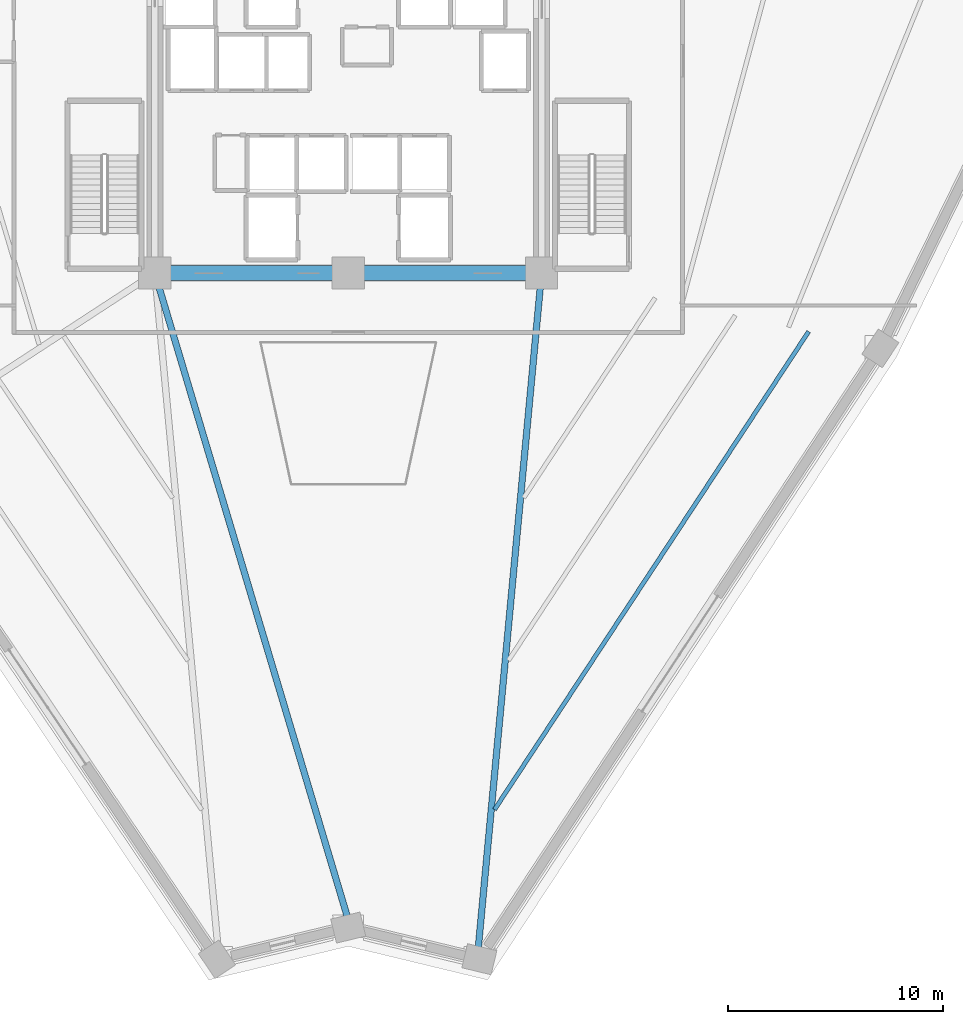
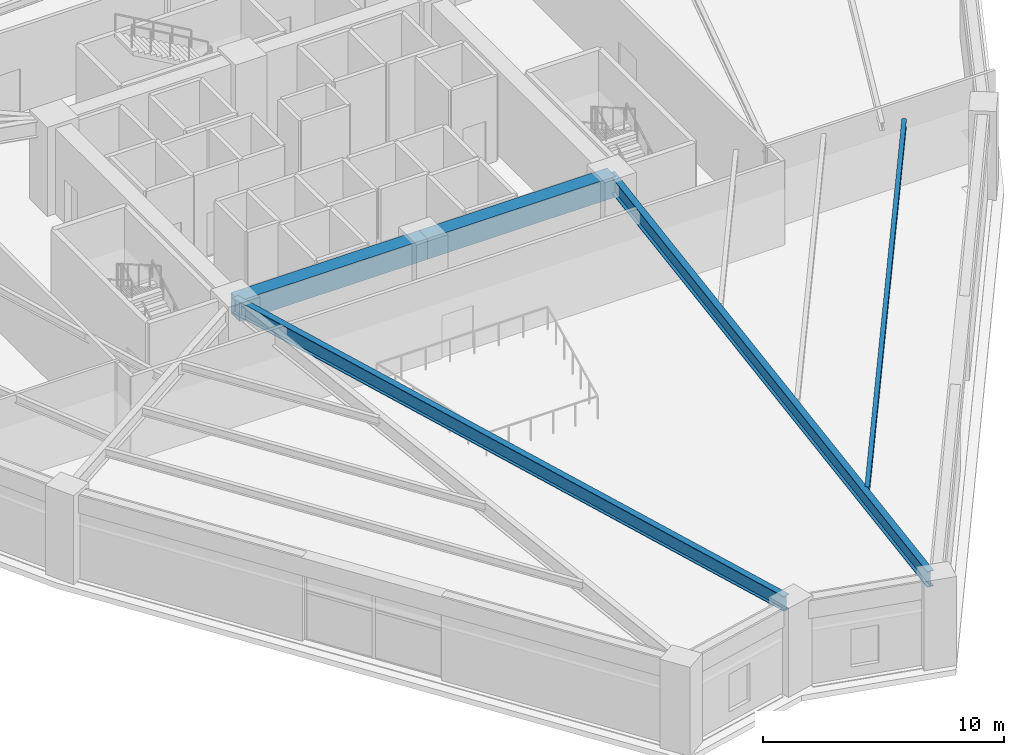
# One storey, part 7 of 30: 5 beams.
"""IFC4 building model written with IfcOpenShell, lengths in metres."""

from ifc_helpers import new_model, si_unit, direction, frame, origin, origin_2d, place, context, subcontext, project, spatial, rectangle, i_section, extrude, source, transform, mapped, material, material_profile, profile_set, type_object, element, save


model = new_model("IFC4")

# Units and contexts
model_context = context("Model", 3, precision=1e-05, world=origin(), true_north=direction((0.0, 1.0)))
body_context = subcontext(model_context, "Body", "Model", "MODEL_VIEW")
ifc_project = project(units=[si_unit("LENGTHUNIT", "METRE"), si_unit("AREAUNIT", "SQUARE_METRE"), si_unit("VOLUMEUNIT", "CUBIC_METRE"), si_unit("PLANEANGLEUNIT", "RADIAN"), si_unit("MASSUNIT", "GRAM", prefix="KILO")], contexts=[model_context])

# Site, building, storey
site_placement = place(None, origin())
site = spatial("IfcSite", under=ifc_project, at=site_placement, CompositionType="ELEMENT")
building_placement = place(site_placement, origin())
building = spatial("IfcBuilding", under=site, at=building_placement, Name="Liaohun Quay Tower", CompositionType="ELEMENT")
storey_placement = place(building_placement, frame((0.0, 0.0, 97.5)))
storey = spatial("IfcBuildingStorey", under=building, at=storey_placement, Name="L25", CompositionType="ELEMENT", Elevation=97.5)

# Beams
ifc_material_1 = material(Name="Concrete C60", Category="concrete")
ifc_material_profile_1 = material_profile(ifc_material_1, rectangle(XDim=0.699951171875, YDim=1.050048828125, at=origin_2d()), Name="RC700x1050")
ifc_profile_set_1 = profile_set([ifc_material_profile_1], Name="Concrete C60")
beam_type_1 = type_object("IfcBeamType", Name="BM-CPL-1", PredefinedType="LINTEL", material=ifc_profile_set_1)
shared_shape_1 = source(origin(), body_context, "Body", "SweptSolid", [
    extrude(rectangle(XDim=0.699951171875, YDim=1.050048828125, at=origin_2d()), origin(), (0.0, 0.0, 1.0), 9.0),
])
for number, where, z_axis, x_axis, name in (
    (1, (51.0, 46.5, 3.794921875), (1.0, 0.0, 0.0), (0.0, 1.0, 0.0), "L25 Core Coupling/Ring Beam CC1-CC2"),
    (2, (60.0, 46.5, 3.794921875), (1.0, 0.0, 0.0), (0.0, 1.0, 0.0), "L25 Core Coupling/Ring Beam CC2-CC3"),
):
    element("IfcBeam", number, at=place(storey_placement, frame(where, z_axis=z_axis, x_axis=x_axis)), inside=storey, type_object=beam_type_1, Name=name, PredefinedType="LINTEL", context=body_context, shape_type="MappedRepresentation", body=[
        mapped(shared_shape_1, transform((0.0, 0.0, 0.0), x_axis=(1.0, 0.0, 0.0), y_axis=(0.0, 1.0, 0.0), z_axis=(0.0, 0.0, 1.0), scale=1.0)),
    ])
ifc_material_2 = material(Name="Steel Q355D", Category="steel")
ifc_material_profile_2 = material_profile(ifc_material_2, i_section(OverallWidth=0.300048828125, OverallDepth=0.800048828125, WebThickness=0.013916015625, FlangeThickness=0.02587890625, at=origin_2d()), Name="HN800x300x14x26")
ifc_profile_set_2 = profile_set([ifc_material_profile_2], Name="Steel Q355D")
beam_type_2 = type_object("IfcBeamType", Name="BM-RAD-M1", PredefinedType="BEAM", material=ifc_profile_set_2)
shared_shape_2 = source(origin(), body_context, "Body", "SweptSolid", [
    extrude(i_section(OverallWidth=0.300048828125, OverallDepth=0.800048828125, WebThickness=0.013916015625, FlangeThickness=0.02587890625, at=origin_2d()), origin(), (0.0, 0.0, 1.0), 31.685791015625),
])
beam_1_placement = place(storey_placement, frame((69.0, 46.5, 3.919921875), z_axis=(-0.093446923072, -0.995624262746, 0.0), x_axis=(0.995624262746, -0.093446923072, 0.0)))
element("IfcBeam", 3, at=beam_1_placement, inside=storey, type_object=beam_type_2, Name="L25 Radial Primary Girder CC3-PC11", PredefinedType="BEAM", context=body_context, shape_type="MappedRepresentation", body=[
    mapped(shared_shape_2, transform((0.0, 0.0, 0.0), x_axis=(1.0, 0.0, 0.0), y_axis=(0.0, 1.0, 0.0), z_axis=(0.0, 0.0, 1.0), scale=1.0)),
])
ifc_material_profile_3 = material_profile(ifc_material_2, i_section(OverallWidth=0.300048828125, OverallDepth=0.75, WebThickness=0.013916015625, FlangeThickness=0.02587890625, at=origin_2d()), Name="HN750x300x14x26")
ifc_profile_set_3 = profile_set([ifc_material_profile_3], Name="Steel Q355D")
beam_type_3 = type_object("IfcBeamType", Name="BM-RAD-M2", PredefinedType="BEAM", material=ifc_profile_set_3)
shared_shape_3 = source(origin(), body_context, "Body", "SweptSolid", [
    extrude(i_section(OverallWidth=0.300048828125, OverallDepth=0.75, WebThickness=0.013916015625, FlangeThickness=0.02587890625, at=origin_2d()), origin(), (0.0, 0.0, 1.0), 31.40625),
])
beam_2_placement = place(storey_placement, frame((51.0, 46.5, 3.945068359375), z_axis=(0.286566861815, -0.958060245344, 0.0), x_axis=(0.958060245344, 0.286566861815, 0.0)))
element("IfcBeam", 4, at=beam_2_placement, inside=storey, type_object=beam_type_3, Name="L25 Radial Primary Girder CC1-PC12", PredefinedType="BEAM", context=body_context, shape_type="MappedRepresentation", body=[
    mapped(shared_shape_3, transform((0.0, 0.0, 0.0), x_axis=(1.0, 0.0, 0.0), y_axis=(0.0, 1.0, 0.0), z_axis=(0.0, 0.0, 1.0), scale=1.0)),
])
ifc_material_profile_4 = material_profile(ifc_material_2, i_section(OverallWidth=0.199951171875, OverallDepth=0.39990234375, WebThickness=0.008056640625, FlangeThickness=0.012939453125, at=origin_2d()), Name="HN400x200x8x13")
ifc_profile_set_4 = profile_set([ifc_material_profile_4], Name="Steel Q355D")
beam_type_4 = type_object("IfcBeamType", Name="BM-SEC-J2", PredefinedType="JOIST", material=ifc_profile_set_4)
shared_shape_4 = source(origin(), body_context, "Body", "SweptSolid", [
    extrude(i_section(OverallWidth=0.199951171875, OverallDepth=0.39990234375, WebThickness=0.008056640625, FlangeThickness=0.012939453125, at=origin_2d()), origin(), (0.0, 0.0, 1.0), 26.621337890625),
])
beam_3_placement = place(storey_placement, frame((81.426025390625, 43.778076171875, 4.1201171875), z_axis=(-0.549151534523, -0.835722796226, 0.0), x_axis=(0.835722796226, -0.549151534523, 0.0)))
element("IfcBeam", 5, at=beam_3_placement, inside=storey, type_object=beam_type_4, Name="L25 Wing Secondary Floor Joist SJ-14", PredefinedType="JOIST", context=body_context, shape_type="MappedRepresentation", body=[
    mapped(shared_shape_4, transform((0.0, 0.0, 0.0), x_axis=(1.0, 0.0, 0.0), y_axis=(0.0, 1.0, 0.0), z_axis=(0.0, 0.0, 1.0), scale=1.0)),
])

save(model, "model.ifc")
